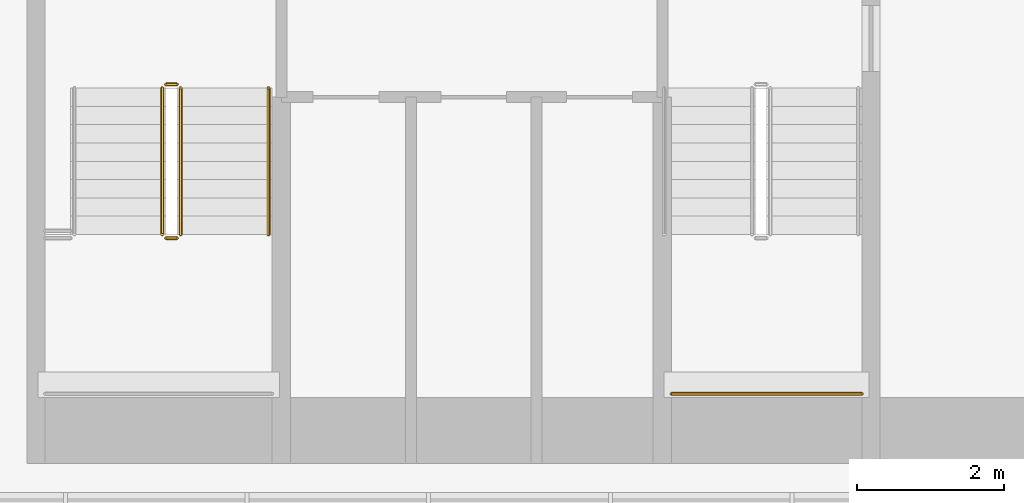
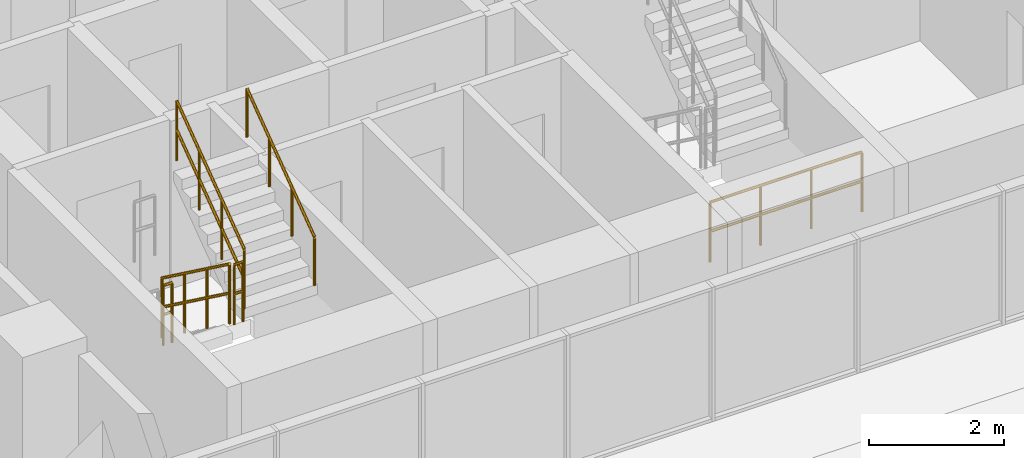
# One storey, part 17 of 24: 6 railings.
"""IFC4 building model written with IfcOpenShell, lengths in metres."""

import ifcopenshell
import ifcopenshell.guid

model = None  # the IFC model being written
_history = None  # IfcOwnerHistory: only IFC2X3 demands one
_inside = {}  # id of a spatial element -> (the spatial element, [elements in it])
_under = {}  # id of a project, library or spatial element -> (it, [spatial elements below it])
_declared = {}  # id of a project -> (the project, [libraries it declares])
_typed = {}  # id of a type object -> (the type object, [elements of that type])
_made_of = {}  # id of a material, layer set ... -> (it, [elements and type objects made of it])


def new_model(schema):
    """Start an empty IFC model of exactly this schema.

    Asked for "IFC4X3", IfcOpenShell would pick the latest addendum, in which some entities
    have other attributes; the version numbers below select the first issue.
    IFC2X3 requires an IfcOwnerHistory on every rooted entity: one is made here for all.
    """
    global model, _history
    if schema == "IFC4X3":
        model = ifcopenshell.file(schema_version=(4, 3, 0, 0))
    else:
        model = ifcopenshell.file(schema=schema)
    _inside.clear()
    _under.clear()
    _declared.clear()
    _typed.clear()
    _made_of.clear()
    _history = None
    if model.schema == "IFC2X3":
        org = make("IfcOrganization", Name="unknown")
        user = make(
            "IfcPersonAndOrganization",
            ThePerson=make("IfcPerson", FamilyName="unknown"),
            TheOrganization=org,
        )
        app = make(
            "IfcApplication",
            ApplicationDeveloper=org,
            Version="unknown",
            ApplicationFullName="unknown",
            ApplicationIdentifier="unknown",
        )
        _history = make(
            "IfcOwnerHistory",
            OwningUser=user,
            OwningApplication=app,
            ChangeAction="ADDED",
            CreationDate=0,
        )
    return model


def make(cls, **values):
    """One entity of the class cls with the attributes given. An attribute that is None is left unset."""
    return model.create_entity(
        cls, **{name: value for name, value in values.items() if value is not None}
    )


def rooted(cls, **values):
    """An entity with a GlobalId (a new one), such as an element, a storey or a relation."""
    return make(cls, GlobalId=ifcopenshell.guid.new(), OwnerHistory=_history, **values)


def si_unit(unit_type, name, prefix=None):
    """IfcSIUnit, for example si_unit("LENGTHUNIT", "METRE", prefix="MILLI")."""
    return make("IfcSIUnit", UnitType=unit_type, Prefix=prefix, Name=name)


def assignment(units):
    """IfcUnitAssignment: the units of a project."""
    return None if units is None else make("IfcUnitAssignment", Units=units)


def point(xyz):
    """IfcCartesianPoint."""
    return None if xyz is None else make("IfcCartesianPoint", Coordinates=xyz)


def direction(xyz):
    """IfcDirection."""
    return None if xyz is None else make("IfcDirection", DirectionRatios=xyz)


def frame(location, z_axis=None, x_axis=None):
    """IfcAxis2Placement3D, a coordinate frame: its origin and axes. An axis left out is left unset."""
    return make(
        "IfcAxis2Placement3D",
        Location=point(location),
        Axis=direction(z_axis),
        RefDirection=direction(x_axis),
    )


def frame_2d(location, x_axis=None):
    """IfcAxis2Placement2D, a coordinate frame in the plane: its origin and x axis."""
    return make(
        "IfcAxis2Placement2D", Location=point(location), RefDirection=direction(x_axis)
    )


def origin():
    """The frame at (0, 0, 0) with its axes left unset."""
    return frame((0.0, 0.0, 0.0))


def origin_2d():
    """The frame at (0, 0) in the plane with its x axis left unset."""
    return frame_2d((0.0, 0.0))


def place(relative_to, where):
    """IfcLocalPlacement: puts the frame where relative to a parent placement (None: the world)."""
    return make(
        "IfcLocalPlacement", PlacementRelTo=relative_to, RelativePlacement=where
    )


def context(
    kind, dimensions, precision=None, world=None, true_north=None, identifier=None
):
    """IfcGeometricRepresentationContext, for example the 3D "Model" context."""
    return make(
        "IfcGeometricRepresentationContext",
        ContextIdentifier=identifier,
        ContextType=kind,
        CoordinateSpaceDimension=dimensions,
        Precision=precision,
        WorldCoordinateSystem=world,
        TrueNorth=true_north,
    )


def subcontext(parent, identifier, kind, view, scale=None):
    """IfcGeometricRepresentationSubContext, for example "Body" below "Model"."""
    return make(
        "IfcGeometricRepresentationSubContext",
        ContextIdentifier=identifier,
        ContextType=kind,
        ParentContext=parent,
        TargetScale=scale,
        TargetView=view,
    )


def project(units=None, contexts=None):
    """IfcProject with its units and contexts."""
    return rooted(
        "IfcProject",
        Name="project",
        RepresentationContexts=contexts,
        UnitsInContext=assignment(units),
    )


def spatial(cls, under=None, at=None, **own):
    """A site, building, storey or space (cls), placed at a placement, below another one or the project."""
    s = rooted(cls, ObjectPlacement=at, **own)
    if under is not None:
        _under.setdefault(under.id(), (under, []))[1].append(s)
    return s


def profile(cls, at=None, kind="AREA", **sizes):
    """A parametric profile (cls). Its sizes go by their IFC names, for example OverallWidth=200.0."""
    return make(cls, ProfileType=kind, Position=at, **sizes)


def circle(**sizes):
    """IfcCircleProfileDef."""
    return profile("IfcCircleProfileDef", **sizes)


def extrude(swept, where, along, depth):
    """IfcExtrudedAreaSolid: the profile swept, set in the frame where, extruded along a direction by depth."""
    return make(
        "IfcExtrudedAreaSolid",
        SweptArea=swept,
        Position=where,
        ExtrudedDirection=direction(along),
        Depth=depth,
    )


def shape(context_of_items, identifier, shape_type, items):
    """IfcShapeRepresentation: the items that make up one representation, for example the "Body"."""
    return make(
        "IfcShapeRepresentation",
        ContextOfItems=context_of_items,
        RepresentationIdentifier=identifier,
        RepresentationType=shape_type,
        Items=items,
    )


def material(Name=None, Category=None):
    """IfcMaterial."""
    return make("IfcMaterial", Name=Name, Category=Category)


def made_of(thing, what):
    """Note that an element or type object is made of a material, layer set ...; save() writes the relation."""
    if what is not None:
        _made_of.setdefault(what.id(), (what, []))[1].append(thing)
    return thing


def type_object(cls, material=None, **own):
    """A type object (cls), such as IfcWallType, which elements share."""
    return made_of(rooted(cls, **own), material)


def element(
    cls,
    number,
    at=None,
    inside=None,
    cuts=None,
    type_object=None,
    material=None,
    context=None,
    identifier="Body",
    shape_type=None,
    held_by="IfcProductDefinitionShape",
    body=None,
    shapes=None,
    **own,
):
    """One element of the class cls, such as IfcWall. Its Tag is "e" and its number.

    at: its placement. inside: the storey or other place that contains it. cuts: it is an
    opening in that element (IfcRelVoidsElement). A single representation is given by context,
    identifier, shape_type and body (its items); several are given by shapes. held_by: the class
    of the entity that holds the representations. save() writes the other relations.
    """
    e = rooted(cls, Tag="e%d" % number, ObjectPlacement=at, **own)
    if body is not None:
        shapes = [shape(context, identifier, shape_type, body)]
    if shapes is not None:
        e.Representation = make(held_by, Representations=shapes)
    if inside is not None:
        _inside.setdefault(inside.id(), (inside, []))[1].append(e)
    if cuts is not None:
        rooted(
            "IfcRelVoidsElement", RelatingBuildingElement=cuts, RelatedOpeningElement=e
        )
    if type_object is not None:
        _typed.setdefault(type_object.id(), (type_object, []))[1].append(e)
    return made_of(e, material)


def aggregate(whole, parts):
    """IfcRelAggregates: a whole, such as a stair, and the parts it consists of."""
    return rooted("IfcRelAggregates", RelatingObject=whole, RelatedObjects=parts)


def save(model, path):
    """Write the relations noted so far, then the file.

    IfcRelAggregates (storeys below a building ...), IfcRelContainedInSpatialStructure (elements
    in a storey), IfcRelDefinesByType, IfcRelAssociatesMaterial and IfcRelDeclares: one each for
    every whole, place, type object, material and project.
    """
    for whole, parts in _under.values():
        aggregate(whole, parts)
    for where, things in _inside.values():
        rooted(
            "IfcRelContainedInSpatialStructure",
            RelatedElements=things,
            RelatingStructure=where,
        )
    for kind, things in _typed.values():
        rooted("IfcRelDefinesByType", RelatedObjects=things, RelatingType=kind)
    for what, things in _made_of.values():
        rooted("IfcRelAssociatesMaterial", RelatedObjects=things, RelatingMaterial=what)
    for by, libraries in _declared.values():
        rooted("IfcRelDeclares", RelatingContext=by, RelatedDefinitions=libraries)
    model.write(path)


model = new_model("IFC4")

# Units and contexts
model_context = context("Model", 3, precision=1e-05, world=origin(), true_north=direction((0.0, 1.0)))
body_context = subcontext(model_context, "Body", "Model", "MODEL_VIEW")
ifc_project = project(units=[si_unit("LENGTHUNIT", "METRE"), si_unit("AREAUNIT", "SQUARE_METRE"), si_unit("VOLUMEUNIT", "CUBIC_METRE"), si_unit("PLANEANGLEUNIT", "RADIAN"), si_unit("MASSUNIT", "GRAM", prefix="KILO")], contexts=[model_context])

# Site, building, storey
site_placement = place(None, origin())
site = spatial("IfcSite", under=ifc_project, at=site_placement, CompositionType="ELEMENT")
building_placement = place(site_placement, origin())
building = spatial("IfcBuilding", under=site, at=building_placement, Name="Nakaniwa Court", CompositionType="ELEMENT")
storey_placement = place(building_placement, frame((0.0, 0.0, 28.199951171875)))
storey = spatial("IfcBuildingStorey", under=building, at=storey_placement, Name="L06", CompositionType="ELEMENT", Elevation=28.199951171875)

# Railings
ifc_material_1 = material(Name="Black powder coated steel guard", Category="steel")
railing_type_1 = type_object("IfcRailingType", Name="Stair guard 1100", PredefinedType="GUARDRAIL", material=ifc_material_1)
railing_1_placement = place(storey_placement, frame((73.72509765625, 61.72509765625, 0.183349609375)))
element("IfcRailing", 1, at=railing_1_placement, inside=storey, type_object=railing_type_1, Name="L06 ST3 stair guard 1", PredefinedType="GUARDRAIL", context=body_context, shape_type="SweptSolid", body=[
    extrude(circle(Radius=0.02392578125, at=origin_2d()), frame((0.0, 0.0, 1.076171875), z_axis=(0.0, -0.806379959628, 0.591397802423), x_axis=(1.0, 0.0, 0.0)), (0.0, 0.0, 1.0), 2.480224609375),
    extrude(circle(Radius=0.02392578125, at=origin_2d()), frame((0.0, 0.0, 0.550048828125), z_axis=(0.0, -0.806379959628, 0.591397802423), x_axis=(1.0, 0.0, 0.0)), (0.0, 0.0, 1.0), 2.480224609375),
    extrude(circle(Radius=0.02099609375, at=origin_2d()), origin(), (0.0, 0.0, 1.0), 1.052001953125),
    extrude(circle(Radius=0.02099609375, at=origin_2d()), frame((0.0, -0.666748046875, 0.489013671875)), (0.0, 0.0, 1.0), 1.052001953125),
    extrude(circle(Radius=0.02099609375, at=origin_2d()), frame((0.0, -1.333251953125, 0.977783203125)), (0.0, 0.0, 1.0), 1.052001953125),
    extrude(circle(Radius=0.02099609375, at=origin_2d()), frame((0.0, -2.0, 1.466796875)), (0.0, 0.0, 1.0), 1.052001953125),
])
railing_2_placement = place(storey_placement, frame((73.77490234375, 59.675048828125, 1.650146484375)))
element("IfcRailing", 2, at=railing_2_placement, inside=storey, type_object=railing_type_1, Name="L06 ST3 stair guard 2", PredefinedType="GUARDRAIL", context=body_context, shape_type="SweptSolid", body=[
    extrude(circle(Radius=0.02392578125, at=origin_2d()), frame((0.0, 0.0, 1.076171875), z_axis=(1.0, 0.0, 0.0), x_axis=(0.0, 1.0, 0.0)), (0.0, 0.0, 1.0), 0.150146484375),
    extrude(circle(Radius=0.02392578125, at=origin_2d()), frame((0.0, 0.0, 0.550048828125), z_axis=(1.0, 0.0, 0.0), x_axis=(0.0, 1.0, 0.0)), (0.0, 0.0, 1.0), 0.150146484375),
    extrude(circle(Radius=0.02099609375, at=origin_2d()), origin(), (0.0, 0.0, 1.0), 1.052001953125),
    extrude(circle(Radius=0.02099609375, at=origin_2d()), frame((0.150146484375, 0.0, 0.0)), (0.0, 0.0, 1.0), 1.052001953125),
])
railing_3_placement = place(storey_placement, frame((73.97509765625, 59.72509765625, 1.83349609375)))
element("IfcRailing", 3, at=railing_3_placement, inside=storey, type_object=railing_type_1, Name="L06 ST3 stair guard 3", PredefinedType="GUARDRAIL", context=body_context, shape_type="SweptSolid", body=[
    extrude(circle(Radius=0.02392578125, at=origin_2d()), frame((0.0, 0.0, 1.076171875), z_axis=(0.0, 0.806426902644, 0.591333789573), x_axis=(-1.0, 0.0, 0.0)), (0.0, 0.0, 1.0), 2.47998046875),
    extrude(circle(Radius=0.02392578125, at=origin_2d()), frame((0.0, 0.0, 0.550048828125), z_axis=(0.0, 0.806426902644, 0.591333789573), x_axis=(-1.0, 0.0, 0.0)), (0.0, 0.0, 1.0), 2.47998046875),
    extrude(circle(Radius=0.02099609375, at=origin_2d()), origin(), (0.0, 0.0, 1.0), 1.052001953125),
    extrude(circle(Radius=0.02099609375, at=origin_2d()), frame((0.0, 0.666748046875, 0.48876953125)), (0.0, 0.0, 1.0), 1.052001953125),
    extrude(circle(Radius=0.02099609375, at=origin_2d()), frame((0.0, 1.333251953125, 0.977783203125)), (0.0, 0.0, 1.0), 1.052001953125),
    extrude(circle(Radius=0.02099609375, at=origin_2d()), frame((0.0, 2.0, 1.466552734375)), (0.0, 0.0, 1.0), 1.052001953125),
])
railing_4_placement = place(storey_placement, frame((73.77490234375, 61.77490234375, 0.0)))
element("IfcRailing", 4, at=railing_4_placement, inside=storey, type_object=railing_type_1, Name="L06 ST3 stair guard 4", PredefinedType="GUARDRAIL", context=body_context, shape_type="SweptSolid", body=[
    extrude(circle(Radius=0.02392578125, at=origin_2d()), frame((0.0, 0.0, 1.076171875), z_axis=(1.0, 0.0, 0.0), x_axis=(0.0, 1.0, 0.0)), (0.0, 0.0, 1.0), 0.150146484375),
    extrude(circle(Radius=0.02392578125, at=origin_2d()), frame((0.0, 0.0, 0.550048828125), z_axis=(1.0, 0.0, 0.0), x_axis=(0.0, 1.0, 0.0)), (0.0, 0.0, 1.0), 0.150146484375),
    extrude(circle(Radius=0.02099609375, at=origin_2d()), origin(), (0.0, 0.0, 1.0), 1.052001953125),
    extrude(circle(Radius=0.02099609375, at=origin_2d()), frame((0.150146484375, 0.0, 0.0)), (0.0, 0.0, 1.0), 1.052001953125),
])
railing_5_placement = place(storey_placement, frame((80.675048828125, 57.550048828125, 1.650146484375)))
element("IfcRailing", 5, at=railing_5_placement, inside=storey, type_object=railing_type_1, Name="L06 ST4 landing end guard 1", PredefinedType="GUARDRAIL", context=body_context, shape_type="SweptSolid", body=[
    extrude(circle(Radius=0.02392578125, at=origin_2d()), frame((0.0, 0.0, 1.076171875), z_axis=(1.0, 0.0, 0.0), x_axis=(0.0, 1.0, 0.0)), (0.0, 0.0, 1.0), 2.599853515625),
    extrude(circle(Radius=0.02392578125, at=origin_2d()), frame((0.0, 0.0, 0.550048828125), z_axis=(1.0, 0.0, 0.0), x_axis=(0.0, 1.0, 0.0)), (0.0, 0.0, 1.0), 2.599853515625),
    extrude(circle(Radius=0.02099609375, at=origin_2d()), origin(), (0.0, 0.0, 1.0), 1.052001953125),
    extrude(circle(Radius=0.02099609375, at=origin_2d()), frame((0.86669921875, 0.0, 0.0)), (0.0, 0.0, 1.0), 1.052001953125),
    extrude(circle(Radius=0.02099609375, at=origin_2d()), frame((1.733154296875, 0.0, 0.0)), (0.0, 0.0, 1.0), 1.052001953125),
    extrude(circle(Radius=0.02099609375, at=origin_2d()), frame((2.599853515625, 0.0, 0.0)), (0.0, 0.0, 1.0), 1.052001953125),
])
ifc_material_2 = material(Name="Black powder coated steel handrail", Category="steel")
railing_type_2 = type_object("IfcRailingType", Name="Stair handrail 900", PredefinedType="HANDRAIL", material=ifc_material_2)
railing_6_placement = place(storey_placement, frame((75.175048828125, 59.72509765625, 1.83349609375)))
element("IfcRailing", 6, at=railing_6_placement, inside=storey, type_object=railing_type_2, Name="L06 ST3 stair handrail 2", PredefinedType="HANDRAIL", context=body_context, shape_type="SweptSolid", body=[
    extrude(circle(Radius=0.02392578125, at=origin_2d()), frame((0.0, 0.0, 0.8759765625), z_axis=(0.0, 0.806426902644, 0.591333789573), x_axis=(-1.0, 0.0, 0.0)), (0.0, 0.0, 1.0), 2.47998046875),
    extrude(circle(Radius=0.02099609375, at=origin_2d()), origin(), (0.0, 0.0, 1.0), 0.851806640625),
    extrude(circle(Radius=0.02099609375, at=origin_2d()), frame((0.0, 0.666748046875, 0.48876953125)), (0.0, 0.0, 1.0), 0.851806640625),
    extrude(circle(Radius=0.02099609375, at=origin_2d()), frame((0.0, 1.333251953125, 0.977783203125)), (0.0, 0.0, 1.0), 0.851806640625),
    extrude(circle(Radius=0.02099609375, at=origin_2d()), frame((0.0, 2.0, 1.466552734375)), (0.0, 0.0, 1.0), 0.851806640625),
])

save(model, "model.ifc")
